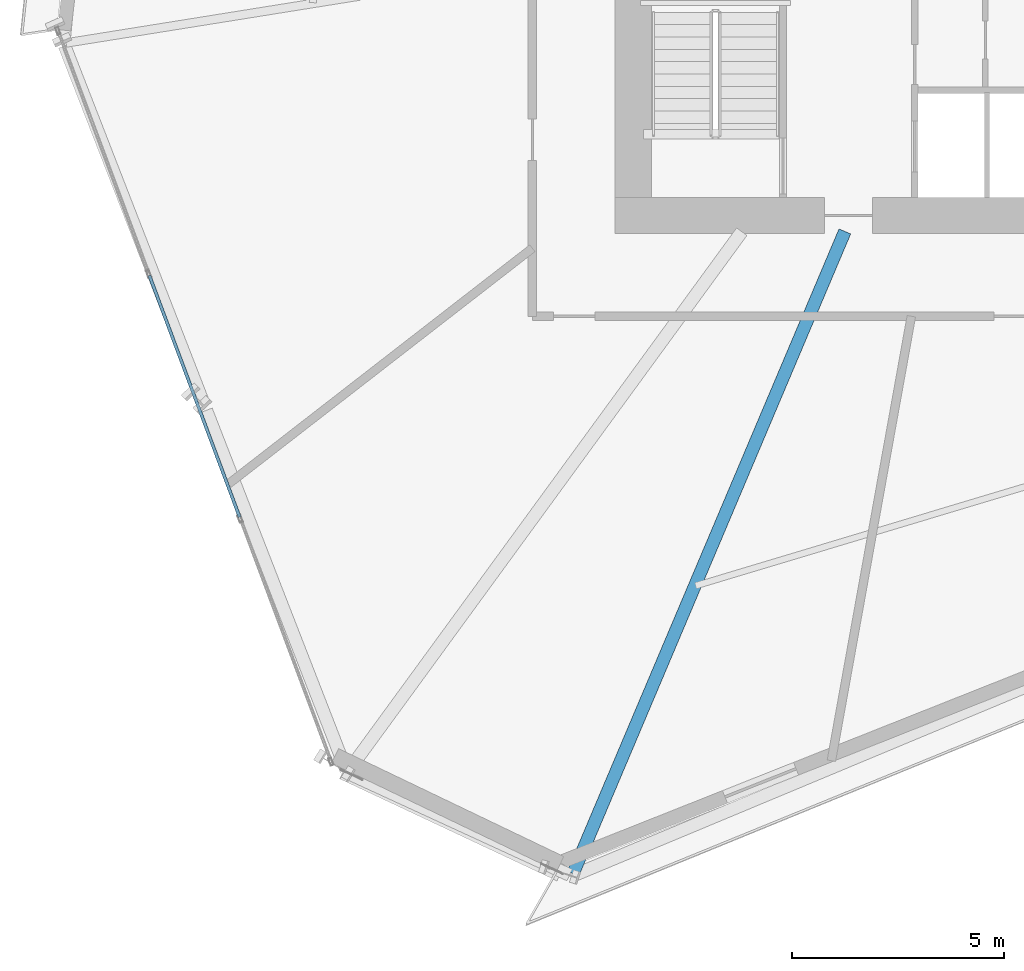
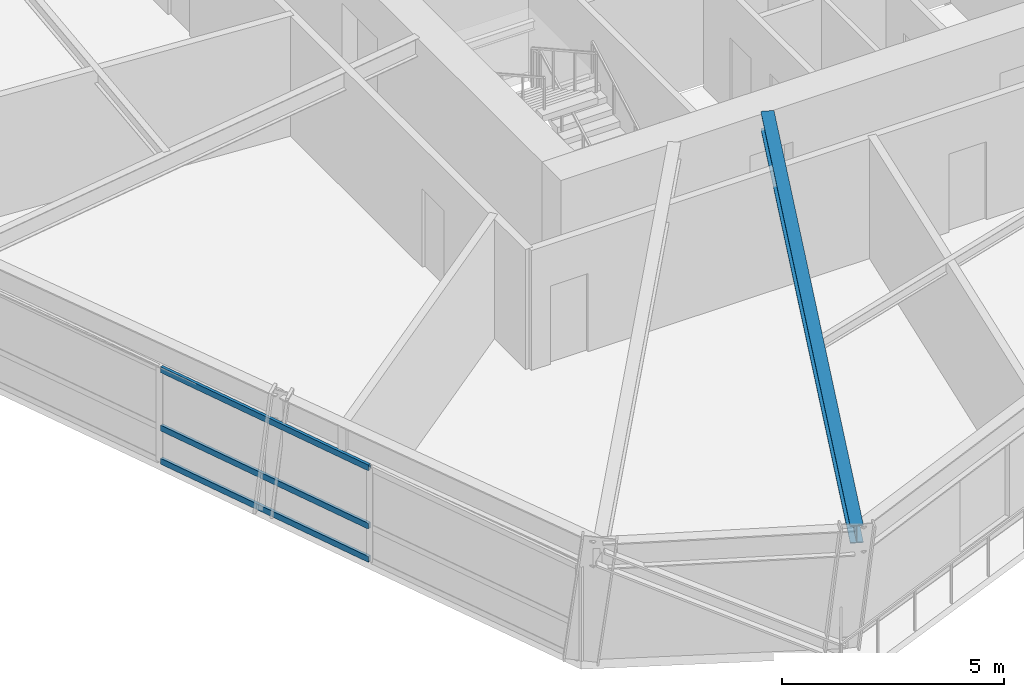
# One storey, part 3 of 21: 3 members, 1 beam, 1 element without a shape of its own.
"""IFC4 building model written with IfcOpenShell, lengths in metres."""

from ifc_helpers import new_model, si_unit, direction, frame, origin, origin_2d, place, context, subcontext, project, spatial, hollow_rectangle, i_section, extrude, source, transform, mapped, material, material_profile, profile_set, type_object, element, aggregate, save


model = new_model("IFC4")

# Units and contexts
model_context = context("Model", 3, precision=1e-05, world=origin(), true_north=direction((0.0, 1.0)))
body_context = subcontext(model_context, "Body", "Model", "MODEL_VIEW")
ifc_project = project(units=[si_unit("LENGTHUNIT", "METRE"), si_unit("AREAUNIT", "SQUARE_METRE"), si_unit("VOLUMEUNIT", "CUBIC_METRE"), si_unit("PLANEANGLEUNIT", "RADIAN"), si_unit("MASSUNIT", "GRAM", prefix="KILO")], contexts=[model_context])

# Site, building, storey
site_placement = place(None, origin())
site = spatial("IfcSite", under=ifc_project, at=site_placement, CompositionType="ELEMENT")
building_placement = place(site_placement, origin())
building = spatial("IfcBuilding", under=site, at=building_placement, Name="Olszyna Solenne Hotel", CompositionType="ELEMENT")
storey_placement = place(building_placement, frame((0.0, 0.0, 68.35009765625)))
storey = spatial("IfcBuildingStorey", under=building, at=storey_placement, Name="L17", CompositionType="ELEMENT", Elevation=68.35009765625)

# Beam
ifc_material_1 = material(Name="Steel S355J2", Category="steel")
ifc_material_profile_1 = material_profile(ifc_material_1, i_section(OverallWidth=0.300048828125, OverallDepth=0.489990234375, WebThickness=0.011962890625, FlangeThickness=0.02294921875, at=origin_2d()), Name="HEA 500", Category="load-bearing")
ifc_profile_set_1 = profile_set([ifc_material_profile_1], Name="Steel S355J2")
beam_type = type_object("IfcBeamType", Name="BM-G1", PredefinedType="BEAM", material=ifc_profile_set_1)
shared_shape_1 = source(origin(), body_context, "Body", "SweptSolid", [
    extrude(i_section(OverallWidth=0.300048828125, OverallDepth=0.489990234375, WebThickness=0.011962890625, FlangeThickness=0.02294921875, at=origin_2d()), origin(), (0.0, 0.0, 1.0), 16.4140625),
])
beam_placement = place(storey_placement, frame((28.255126953125, 3.58056640625, 3.054931640625), z_axis=(0.389842317377, 0.920881625173, 0.0), x_axis=(-0.920881625173, 0.389842317377, 0.0)))
element("IfcBeam", 1, at=beam_placement, inside=storey, type_object=beam_type, Name="Radial floor girder BM-G1 B-L17-0543", PredefinedType="BEAM", context=body_context, shape_type="MappedRepresentation", body=[
    mapped(shared_shape_1, transform((0.0, 0.0, 0.0), x_axis=(1.0, 0.0, 0.0), y_axis=(0.0, 1.0, 0.0), z_axis=(0.0, 0.0, 1.0), scale=1.0)),
])

# Curtain wall, members
ifc_material_2 = material(Name="Anodised bronze aluminium", Category="aluminium")
curtain_wall_type = type_object("IfcCurtainWallType", Name="CW-SYS-2", PredefinedType="NOTDEFINED", material=ifc_material_2)
curtain_wall_placement = place(storey_placement, origin())
curtain_wall = element("IfcCurtainWall", 2, at=curtain_wall_placement, inside=storey, type_object=curtain_wall_type, Name="Unitised curtain wall CW-SYS-2 CW-L17-01", PredefinedType="NOTDEFINED")
ifc_material_profile_2 = material_profile(ifc_material_2, hollow_rectangle(XDim=0.074951171875, YDim=0.159912109375, WallThickness=0.00390625, at=origin_2d()), Name="TRAN 160x75x4", Category="load-bearing")
ifc_profile_set_2 = profile_set([ifc_material_profile_2], Name="Anodised bronze aluminium")
member_type = type_object("IfcMemberType", Name="CW-T1", PredefinedType="USERDEFINED", material=ifc_profile_set_2)
shared_shape_2 = source(origin(), body_context, "Body", "SweptSolid", [
    extrude(hollow_rectangle(XDim=0.074951171875, YDim=0.159912109375, WallThickness=0.00390625, at=origin_2d()), origin(), (0.0, 0.0, 1.0), 6.06982421875),
])
member_1_placement = place(storey_placement, frame((18.286865234375, 17.658935546875, 0.037353515625), z_axis=(0.349968318131, -0.936761536521, 0.0), x_axis=(0.936761536521, 0.349968318131, 0.0)))
member_1 = element("IfcMember", 3, at=member_1_placement, type_object=member_type, Name="Curtain-wall transom CW-T1 CT-L17-01-04", ObjectType="TRANSOM", PredefinedType="USERDEFINED", context=body_context, shape_type="MappedRepresentation", body=[
    mapped(shared_shape_2, transform((0.0, 0.0, 0.0), x_axis=(1.0, 0.0, 0.0), y_axis=(0.0, 1.0, 0.0), z_axis=(0.0, 0.0, 1.0), scale=1.0)),
])
member_2_placement = place(storey_placement, frame((18.286865234375, 17.658935546875, 0.949951171875), z_axis=(0.349968318131, -0.936761536521, 0.0), x_axis=(0.936761536521, 0.349968318131, 0.0)))
member_2 = element("IfcMember", 4, at=member_2_placement, type_object=member_type, Name="Curtain-wall transom CW-T1 CT-L17-01-05", ObjectType="TRANSOM", PredefinedType="USERDEFINED", context=body_context, shape_type="MappedRepresentation", body=[
    mapped(shared_shape_2, transform((0.0, 0.0, 0.0), x_axis=(1.0, 0.0, 0.0), y_axis=(0.0, 1.0, 0.0), z_axis=(0.0, 0.0, 1.0), scale=1.0)),
])
member_3_placement = place(storey_placement, frame((18.286865234375, 17.658935546875, 2.554443359375), z_axis=(0.349968318131, -0.936761536521, 0.0), x_axis=(0.936761536521, 0.349968318131, 0.0)))
member_3 = element("IfcMember", 5, at=member_3_placement, type_object=member_type, Name="Curtain-wall transom CW-T1 CT-L17-01-06", ObjectType="TRANSOM", PredefinedType="USERDEFINED", context=body_context, shape_type="MappedRepresentation", body=[
    mapped(shared_shape_2, transform((0.0, 0.0, 0.0), x_axis=(1.0, 0.0, 0.0), y_axis=(0.0, 1.0, 0.0), z_axis=(0.0, 0.0, 1.0), scale=1.0)),
])
aggregate(curtain_wall, [member_1, member_2, member_3])

save(model, "model.ifc")
